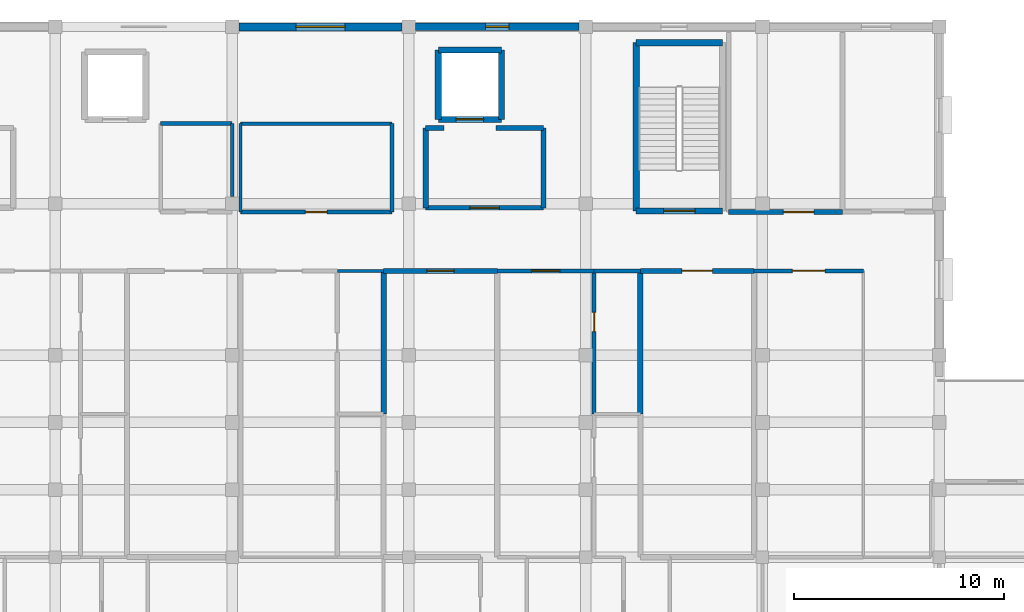
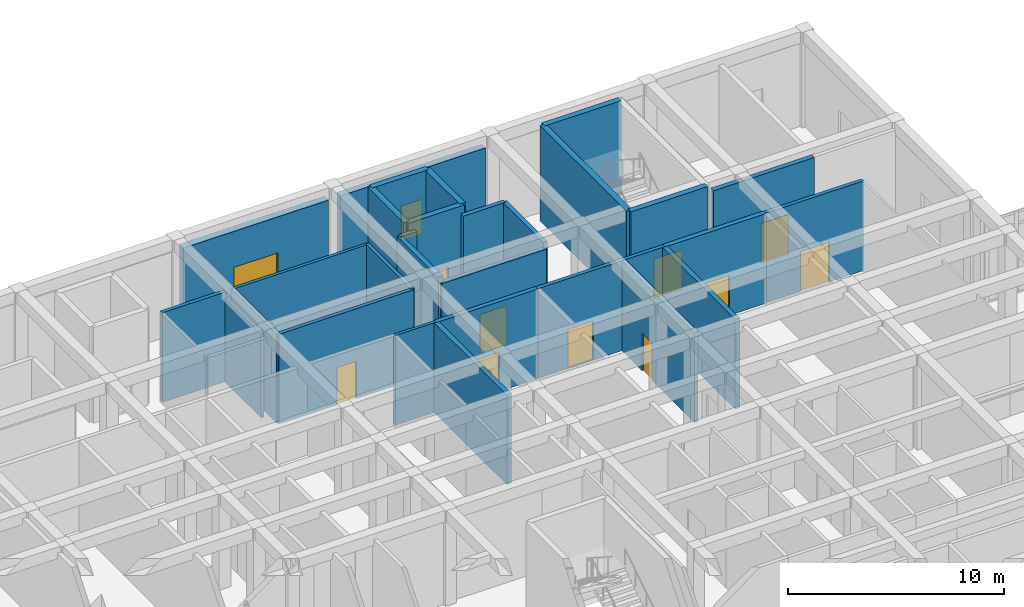
# One storey, part 59 of 89: 30 walls, 10 doors, 2 windows, 12 openings.
"""IFC4 building model written with IfcOpenShell, lengths in metres."""

from ifc_helpers import new_model, si_unit, direction, frame, frame_2d, origin, place, context, subcontext, project, spatial, rectangle, extrude, material, layer, layer_set, type_object, element, fill, save


model = new_model("IFC4")

# Units and contexts
model_context = context("Model", 3, precision=1e-05, world=origin(), true_north=direction((0.0, 1.0)))
body_context = subcontext(model_context, "Body", "Model", "MODEL_VIEW")
ifc_project = project(units=[si_unit("LENGTHUNIT", "METRE"), si_unit("AREAUNIT", "SQUARE_METRE"), si_unit("VOLUMEUNIT", "CUBIC_METRE"), si_unit("PLANEANGLEUNIT", "RADIAN"), si_unit("MASSUNIT", "GRAM", prefix="KILO")], contexts=[model_context])

# Site, building, storey
site_placement = place(None, origin())
site = spatial("IfcSite", under=ifc_project, at=site_placement, CompositionType="ELEMENT")
building_placement = place(site_placement, origin())
building = spatial("IfcBuilding", under=site, at=building_placement, Name="Varncliffe General Hospital", CompositionType="ELEMENT")
storey_placement = place(building_placement, frame((0.0, 0.0, 10.800048828125)))
storey = spatial("IfcBuildingStorey", under=building, at=storey_placement, Name="L02", CompositionType="ELEMENT", Elevation=10.800048828125)

# Wall, opening, window
ifc_material_1 = material(Name="Precast concrete C40/50 with insulated cream lime-cement stucco", Category="concrete")
ifc_layer_1 = layer(ifc_material_1, 0.3798828125)
ifc_layer_set_1 = layer_set([ifc_layer_1], Name="Precast concrete C40/50 with insulated cream lime-cement stucco")
wall_type_1 = type_object("IfcWallType", Name="Exterior Insulated Stucco Wall EW26 (380mm)", PredefinedType="SOLIDWALL", material=ifc_layer_set_1)
wall_1_placement = place(storey_placement, frame((33.923095703125, 124.800048828125, 0.0), z_axis=(0.0, 0.0, 1.0), x_axis=(1.0, 0.0, 0.0)))
wall_1 = element("IfcWall", 1, at=wall_1_placement, inside=storey, type_object=wall_type_1, Name="L02 Exterior Stucco Wall EW26-176", PredefinedType="SOLIDWALL", context=body_context, shape_type="SweptSolid", body=[
    extrude(rectangle(XDim=7.75390625, YDim=0.3798828125, at=frame_2d((3.876953125, 0.0))), origin(), (0.0, 0.0, 1.0), 4.679931640625),
])
opening_1_placement = place(wall_1_placement, frame((2.701904296875, 0.0, 0.89990234375)))
opening_1 = element("IfcOpeningElement", 2, at=opening_1_placement, cuts=wall_1, Name="Opening WN31", PredefinedType="OPENING", context=body_context, shape_type="SweptSolid", body=[
    extrude(rectangle(XDim=2.35009765625, YDim=1.75, at=frame_2d((1.175048828125, 0.875))), frame((0.0, 0.199951171875, 0.0), z_axis=(0.0, -1.0, 0.0), x_axis=(1.0, 0.0, 0.0)), (0.0, 0.0, 1.0), 0.39990234375),
])
ifc_material_2 = material(Name="Triple low-E argon insulated vision glazing", Category="glass")
window_type_1 = type_object("IfcWindowType", Name="Triple-Glazed Hospital Window WN31 (2350x1750)", PartitioningType="DOUBLE_PANEL_VERTICAL", PredefinedType="WINDOW", material=ifc_material_2)
window_1_placement = place(opening_1_placement, origin())
window_1 = element("IfcWindow", 3, at=window_1_placement, inside=storey, type_object=window_type_1, Name="L02 Hospital Window WN31-111", OverallHeight=1.75, OverallWidth=2.35009765625, PartitioningType="DOUBLE_PANEL_VERTICAL", PredefinedType="WINDOW", context=body_context, shape_type="SweptSolid", body=[
    extrude(rectangle(XDim=2.35009765625, YDim=1.75, at=frame_2d((1.175048828125, 0.875))), frame((0.0, 0.030029296875, 0.0), z_axis=(0.0, -1.0, 0.0), x_axis=(1.0, 0.0, 0.0)), (0.0, 0.0, 1.0), 0.06005859375),
])
fill(opening_1, window_1)

ifc_layer_2 = layer(ifc_material_1, 0.35009765625)
ifc_layer_set_2 = layer_set([ifc_layer_2], Name="Precast concrete C40/50 with insulated cream lime-cement stucco")
wall_type_2 = type_object("IfcWallType", Name="Exterior Insulated Stucco Wall EW37 (350mm)", PredefinedType="SOLIDWALL", material=ifc_layer_set_2)
wall_2_placement = place(storey_placement, frame((42.322998046875, 124.800048828125, 0.0), z_axis=(0.0, 0.0, 1.0), x_axis=(1.0, 0.0, 0.0)))
wall_2 = element("IfcWall", 4, at=wall_2_placement, inside=storey, type_object=wall_type_2, Name="L02 Exterior Stucco Wall EW37-177", PredefinedType="SOLIDWALL", context=body_context, shape_type="SweptSolid", body=[
    extrude(rectangle(XDim=7.75390625, YDim=0.35009765625, at=frame_2d((3.876953125, 0.0))), origin(), (0.0, 0.0, 1.0), 4.679931640625),
])
opening_2_placement = place(wall_2_placement, frame((3.326904296875, 0.0, 0.89990234375)))
opening_2 = element("IfcOpeningElement", 5, at=opening_2_placement, cuts=wall_2, Name="Opening WN41", PredefinedType="OPENING", context=body_context, shape_type="SweptSolid", body=[
    extrude(rectangle(XDim=1.10009765625, YDim=1.949951171875, at=frame_2d((0.550048828125, 0.97509765625))), frame((0.0, 0.18505859375, 0.0), z_axis=(0.0, -1.0, 0.0), x_axis=(1.0, 0.0, 0.0)), (0.0, 0.0, 1.0), 0.3701171875),
])
window_type_2 = type_object("IfcWindowType", Name="Triple-Glazed Hospital Window WN41 (1100x1950)", PartitioningType="SINGLE_PANEL", PredefinedType="WINDOW", material=ifc_material_2)
window_2_placement = place(opening_2_placement, origin())
window_2 = element("IfcWindow", 6, at=window_2_placement, inside=storey, type_object=window_type_2, Name="L02 Hospital Window WN41-112", OverallHeight=1.949951171875, OverallWidth=1.10009765625, PartitioningType="SINGLE_PANEL", PredefinedType="WINDOW", context=body_context, shape_type="SweptSolid", body=[
    extrude(rectangle(XDim=1.10009765625, YDim=1.949951171875, at=frame_2d((0.550048828125, 0.97509765625))), frame((0.0, 0.030029296875, 0.0), z_axis=(0.0, -1.0, 0.0), x_axis=(1.0, 0.0, 0.0)), (0.0, 0.0, 1.0), 0.06005859375),
])
fill(opening_2, window_2)

# Wall, opening, door
ifc_material_3 = material(Name="Fire-rated gypsum and mineral-wool partition assembly", Category="gypsum")
ifc_layer_3 = layer(ifc_material_3, 0.25)
ifc_layer_set_3 = layer_set([ifc_layer_3], Name="Fire-rated gypsum and mineral-wool partition assembly")
wall_type_3 = type_object("IfcWallType", Name="Interior Partitioning PW38 (250mm)", PredefinedType="PARTITIONING", material=ifc_layer_set_3)
wall_3_placement = place(storey_placement, frame((53.0, 113.199951171875, 0.0), z_axis=(0.0, 0.0, 1.0), x_axis=(1.0, 0.0, 0.0)))
wall_3 = element("IfcWall", 7, at=wall_3_placement, inside=storey, type_object=wall_type_3, Name="L02 Interior Partition Wall PW38-1075", PredefinedType="PARTITIONING", context=body_context, shape_type="SweptSolid", body=[
    extrude(rectangle(XDim=5.39990234375, YDim=0.25, at=frame_2d((2.699951171875, 0.0))), origin(), (0.0, 0.0, 1.0), 5.070068359375),
])
opening_3_placement = place(wall_3_placement, frame((1.97509765625, 0.0, 0.0)))
opening_3 = element("IfcOpeningElement", 8, at=opening_3_placement, cuts=wall_3, Name="Opening DC66", PredefinedType="OPENING", context=body_context, shape_type="SweptSolid", body=[
    extrude(rectangle(XDim=1.449951171875, YDim=2.25, at=frame_2d((0.72509765625, 1.125))), frame((0.0, 0.135009765625, 0.0), z_axis=(0.0, -1.0, 0.0), x_axis=(1.0, 0.0, 0.0)), (0.0, 0.0, 1.0), 0.27001953125),
])
ifc_material_4 = material(Name="Fire-rated hospital steel-frame vision-panel door", Category="steel")
door_type_1 = type_object("IfcDoorType", Name="Interior Hospital Door DC66 (1450x2250)", OperationType="NOTDEFINED", PredefinedType="DOOR", material=ifc_material_4)
door_1_placement = place(opening_3_placement, frame((1.449951171875, 0.0, 0.0), z_axis=(0.0, 0.0, 1.0), x_axis=(-1.0, 0.0, 0.0)))
door_1 = element("IfcDoor", 9, at=door_1_placement, inside=storey, type_object=door_type_1, Name="L02 Surgical Sub-Sterile Utility Store 125 Door", OperationType="SINGLE_SWING_RIGHT", OverallHeight=2.25, OverallWidth=1.449951171875, PredefinedType="DOOR", context=body_context, shape_type="SweptSolid", body=[
    extrude(rectangle(XDim=1.449951171875, YDim=2.25, at=frame_2d((0.72509765625, 1.125))), frame((0.0, 0.02490234375, 0.0), z_axis=(0.0, -1.0, 0.0), x_axis=(1.0, 0.0, 0.0)), (0.0, 0.0, 1.0), 0.050048828125),
])
fill(opening_3, door_1)

wall_4_placement = place(storey_placement, frame((57.199951171875, 116.0, 0.0), z_axis=(0.0, 0.0, 1.0), x_axis=(1.0, 0.0, 0.0)))
wall_4 = element("IfcWall", 10, at=wall_4_placement, inside=storey, type_object=wall_type_3, Name="L02 Interior Partition Wall PW38-1095", PredefinedType="PARTITIONING", context=body_context, shape_type="SweptSolid", body=[
    extrude(rectangle(XDim=5.400146484375, YDim=0.25, at=frame_2d((2.7001953125, 0.0))), origin(), (0.0, 0.0, 1.0), 5.070068359375),
])
opening_4_placement = place(wall_4_placement, frame((2.599609375, 0.0, 0.0)))
opening_4 = element("IfcOpeningElement", 11, at=opening_4_placement, cuts=wall_4, Name="Opening DC66", PredefinedType="OPENING", context=body_context, shape_type="SweptSolid", body=[
    extrude(rectangle(XDim=1.449951171875, YDim=2.25, at=frame_2d((0.72509765625, 1.125))), frame((0.0, 0.135009765625, 0.0), z_axis=(0.0, -1.0, 0.0), x_axis=(1.0, 0.0, 0.0)), (0.0, 0.0, 1.0), 0.27001953125),
])
door_2_placement = place(opening_4_placement, origin())
door_2 = element("IfcDoor", 12, at=door_2_placement, inside=storey, type_object=door_type_1, Name="L02 Surgical Sub-Sterile Utility Store 149 Door", OperationType="SINGLE_SWING_RIGHT", OverallHeight=2.25, OverallWidth=1.449951171875, PredefinedType="DOOR", context=body_context, shape_type="SweptSolid", body=[
    extrude(rectangle(XDim=1.449951171875, YDim=2.25, at=frame_2d((0.72509765625, 1.125))), frame((0.0, 0.02490234375, 0.0), z_axis=(0.0, -1.0, 0.0), x_axis=(1.0, 0.0, 0.0)), (0.0, 0.0, 1.0), 0.050048828125),
])
fill(opening_4, door_2)

# Walls
wall_5_placement = place(storey_placement, frame((40.800048828125, 106.39990234375, 0.0), z_axis=(0.0, 0.0, 1.0), x_axis=(0.0, 1.0, 0.0)))
element("IfcWall", 13, at=wall_5_placement, inside=storey, type_object=wall_type_3, Name="L02 Interior Partition Wall PW38-1171", PredefinedType="PARTITIONING", context=body_context, shape_type="SweptSolid", body=[
    extrude(rectangle(XDim=6.800048828125, YDim=0.25, at=frame_2d((3.39990234375, 0.0))), origin(), (0.0, 0.0, 1.0), 5.070068359375),
])
wall_6_placement = place(storey_placement, frame((42.800048828125, 116.199951171875, 0.0), z_axis=(0.0, 0.0, 1.0), x_axis=(0.0, 1.0, 0.0)))
element("IfcWall", 14, at=wall_6_placement, inside=storey, type_object=wall_type_3, Name="L02 Interior Partition Wall PW38-1173", PredefinedType="PARTITIONING", context=body_context, shape_type="SweptSolid", body=[
    extrude(rectangle(XDim=3.800048828125, YDim=0.25, at=frame_2d((1.89990234375, 0.0))), origin(), (0.0, 0.0, 1.0), 5.070068359375),
])
wall_7_placement = place(storey_placement, frame((53.0, 106.39990234375, 0.0), z_axis=(0.0, 0.0, 1.0), x_axis=(0.0, 1.0, 0.0)))
element("IfcWall", 15, at=wall_7_placement, inside=storey, type_object=wall_type_3, Name="L02 Interior Partition Wall PW38-1187", PredefinedType="PARTITIONING", context=body_context, shape_type="SweptSolid", body=[
    extrude(rectangle(XDim=6.800048828125, YDim=0.25, at=frame_2d((3.39990234375, 0.0))), origin(), (0.0, 0.0, 1.0), 5.070068359375),
])

# Wall, opening, door
ifc_layer_4 = layer(ifc_material_3, 0.22998046875)
ifc_layer_set_4 = layer_set([ifc_layer_4], Name="Fire-rated gypsum and mineral-wool partition assembly")
wall_type_4 = type_object("IfcWallType", Name="Interior Partitioning PW48 (230mm)", PredefinedType="PARTITIONING", material=ifc_layer_set_4)
wall_8_placement = place(storey_placement, frame((40.800048828125, 113.199951171875, 0.0), z_axis=(0.0, 0.0, 1.0), x_axis=(1.0, 0.0, 0.0)))
wall_8 = element("IfcWall", 16, at=wall_8_placement, inside=storey, type_object=wall_type_4, Name="L02 Interior Partition Wall PW48-1072", PredefinedType="PARTITIONING", context=body_context, shape_type="SweptSolid", body=[
    extrude(rectangle(XDim=5.39990234375, YDim=0.22998046875, at=frame_2d((2.699951171875, 0.0))), origin(), (0.0, 0.0, 1.0), 5.070068359375),
])
opening_5_placement = place(wall_8_placement, frame((2.050048828125, 0.0, 0.0)))
opening_5 = element("IfcOpeningElement", 17, at=opening_5_placement, cuts=wall_8, Name="Opening DC88", PredefinedType="OPENING", context=body_context, shape_type="SweptSolid", body=[
    extrude(rectangle(XDim=1.300048828125, YDim=2.199951171875, at=frame_2d((0.64990234375, 1.10009765625))), frame((0.0, 0.125, 0.0), z_axis=(0.0, -1.0, 0.0), x_axis=(1.0, 0.0, 0.0)), (0.0, 0.0, 1.0), 0.25),
])
door_type_2 = type_object("IfcDoorType", Name="Interior Hospital Door DC88 (1300x2200)", OperationType="NOTDEFINED", PredefinedType="DOOR", material=ifc_material_4)
door_3_placement = place(opening_5_placement, frame((1.300048828125, 0.0, 0.0), z_axis=(0.0, 0.0, 1.0), x_axis=(-1.0, 0.0, 0.0)))
door_3 = element("IfcDoor", 18, at=door_3_placement, inside=storey, type_object=door_type_2, Name="L02 Surgical Sub-Sterile Utility Store 121 Door", OperationType="SINGLE_SWING_RIGHT", OverallHeight=2.199951171875, OverallWidth=1.300048828125, PredefinedType="DOOR", context=body_context, shape_type="SweptSolid", body=[
    extrude(rectangle(XDim=1.300048828125, YDim=2.199951171875, at=frame_2d((0.64990234375, 1.10009765625))), frame((0.0, 0.02490234375, 0.0), z_axis=(0.0, -1.0, 0.0), x_axis=(1.0, 0.0, 0.0)), (0.0, 0.0, 1.0), 0.050048828125),
])
fill(opening_5, door_3)

wall_9_placement = place(storey_placement, frame((42.800048828125, 116.199951171875, 0.0), z_axis=(0.0, 0.0, 1.0), x_axis=(1.0, 0.0, 0.0)))
wall_9 = element("IfcWall", 19, at=wall_9_placement, inside=storey, type_object=wall_type_4, Name="L02 Interior Partition Wall PW48-1106", PredefinedType="PARTITIONING", context=body_context, shape_type="SweptSolid", body=[
    extrude(rectangle(XDim=5.599853515625, YDim=0.22998046875, at=frame_2d((2.7998046875, 0.0))), origin(), (0.0, 0.0, 1.0), 4.73486328125),
])
opening_6_placement = place(wall_9_placement, frame((2.10009765625, 0.0, 0.0)))
opening_6 = element("IfcOpeningElement", 20, at=opening_6_placement, cuts=wall_9, Name="Opening DF81", PredefinedType="OPENING", context=body_context, shape_type="SweptSolid", body=[
    extrude(rectangle(XDim=1.39990234375, YDim=2.199951171875, at=frame_2d((0.699951171875, 1.10009765625))), frame((0.0, 0.125, 0.0), z_axis=(0.0, -1.0, 0.0), x_axis=(1.0, 0.0, 0.0)), (0.0, 0.0, 1.0), 0.25),
])
door_type_3 = type_object("IfcDoorType", Name="Interior Hospital Door DF81 (1400x2200)", OperationType="NOTDEFINED", PredefinedType="DOOR", material=ifc_material_4)
door_4_placement = place(opening_6_placement, origin())
door_4 = element("IfcDoor", 21, at=door_4_placement, inside=storey, type_object=door_type_3, Name="L02 Firefighting Lift Lobby LF02 Door", OperationType="SINGLE_SWING_LEFT", OverallHeight=2.199951171875, OverallWidth=1.39990234375, PredefinedType="DOOR", context=body_context, shape_type="SweptSolid", body=[
    extrude(rectangle(XDim=1.39990234375, YDim=2.199951171875, at=frame_2d((0.699951171875, 1.10009765625))), frame((0.0, 0.02490234375, 0.0), z_axis=(0.0, -1.0, 0.0), x_axis=(1.0, 0.0, 0.0)), (0.0, 0.0, 1.0), 0.050048828125),
])
fill(opening_6, door_4)

# Walls
wall_10_placement = place(storey_placement, frame((46.135986328125, 120.0, 0.0), z_axis=(0.0, 0.0, 1.0), x_axis=(1.0, 0.0, 0.0)))
element("IfcWall", 22, at=wall_10_placement, inside=storey, type_object=wall_type_4, Name="L02 Interior Partition Wall PW48-1110", PredefinedType="PARTITIONING", context=body_context, shape_type="SweptSolid", body=[
    extrude(rectangle(XDim=2.263916015625, YDim=0.22998046875, at=frame_2d((1.1318359375, 0.0))), origin(), (0.0, 0.0, 1.0), 5.070068359375),
])
wall_11_placement = place(storey_placement, frame((42.800048828125, 120.0, 0.0), z_axis=(0.0, 0.0, 1.0), x_axis=(1.0, 0.0, 0.0)))
element("IfcWall", 23, at=wall_11_placement, inside=storey, type_object=wall_type_4, Name="L02 Interior Partition Wall PW48-1111", PredefinedType="PARTITIONING", context=body_context, shape_type="SweptSolid", body=[
    extrude(rectangle(XDim=0.864013671875, YDim=0.22998046875, at=frame_2d((0.43212890625, 0.0))), origin(), (0.0, 0.0, 1.0), 5.070068359375),
])
wall_12_placement = place(storey_placement, frame((48.39990234375, 116.199951171875, 0.0), z_axis=(0.0, 0.0, 1.0), x_axis=(0.0, 1.0, 0.0)))
element("IfcWall", 24, at=wall_12_placement, inside=storey, type_object=wall_type_4, Name="L02 Interior Partition Wall PW48-1180", PredefinedType="PARTITIONING", context=body_context, shape_type="SweptSolid", body=[
    extrude(rectangle(XDim=3.800048828125, YDim=0.22998046875, at=frame_2d((1.89990234375, 0.0))), origin(), (0.0, 0.0, 1.0), 5.070068359375),
])

# Wall, opening, door
ifc_layer_5 = layer(ifc_material_3, 0.199951171875)
ifc_layer_set_5 = layer_set([ifc_layer_5], Name="Fire-rated gypsum and mineral-wool partition assembly")
wall_type_5 = type_object("IfcWallType", Name="Interior Partitioning PW63 (200mm)", PredefinedType="PARTITIONING", material=ifc_layer_set_5)
wall_13_placement = place(storey_placement, frame((46.199951171875, 113.199951171875, 0.0), z_axis=(0.0, 0.0, 1.0), x_axis=(1.0, 0.0, 0.0)))
wall_13 = element("IfcWall", 25, at=wall_13_placement, inside=storey, type_object=wall_type_5, Name="L02 Interior Partition Wall PW63-1073", PredefinedType="PARTITIONING", context=body_context, shape_type="SweptSolid", body=[
    extrude(rectangle(XDim=4.60009765625, YDim=0.199951171875, at=frame_2d((2.300048828125, 0.0))), origin(), (0.0, 0.0, 1.0), 5.070068359375),
])
opening_7_placement = place(wall_13_placement, frame((1.625, 0.0, 0.0)))
opening_7 = element("IfcOpeningElement", 26, at=opening_7_placement, cuts=wall_13, Name="Opening DC85", PredefinedType="OPENING", context=body_context, shape_type="SweptSolid", body=[
    extrude(rectangle(XDim=1.35009765625, YDim=2.199951171875, at=frame_2d((0.675048828125, 1.10009765625))), frame((0.0, 0.10986328125, 0.0), z_axis=(0.0, -1.0, 0.0), x_axis=(1.0, 0.0, 0.0)), (0.0, 0.0, 1.0), 0.219970703125),
])
door_type_4 = type_object("IfcDoorType", Name="Interior Hospital Door DC85 (1350x2200)", OperationType="NOTDEFINED", PredefinedType="DOOR", material=ifc_material_4)
door_5_placement = place(opening_7_placement, frame((1.35009765625, 0.0, 0.0), z_axis=(0.0, 0.0, 1.0), x_axis=(-1.0, 0.0, 0.0)))
door_5 = element("IfcDoor", 27, at=door_5_placement, inside=storey, type_object=door_type_4, Name="L02 Surgical Inpatient Ward Room 122 Door", OperationType="SINGLE_SWING_LEFT", OverallHeight=2.199951171875, OverallWidth=1.35009765625, PredefinedType="DOOR", context=body_context, shape_type="SweptSolid", body=[
    extrude(rectangle(XDim=1.35009765625, YDim=2.199951171875, at=frame_2d((0.675048828125, 1.10009765625))), frame((0.0, 0.02490234375, 0.0), z_axis=(0.0, -1.0, 0.0), x_axis=(1.0, 0.0, 0.0)), (0.0, 0.0, 1.0), 0.050048828125),
])
fill(opening_7, door_5)

wall_14_placement = place(storey_placement, frame((58.39990234375, 113.199951171875, 0.0), z_axis=(0.0, 0.0, 1.0), x_axis=(1.0, 0.0, 0.0)))
wall_14 = element("IfcWall", 28, at=wall_14_placement, inside=storey, type_object=wall_type_5, Name="L02 Interior Partition Wall PW63-1076", PredefinedType="PARTITIONING", context=body_context, shape_type="SweptSolid", body=[
    extrude(rectangle(XDim=5.2001953125, YDim=0.199951171875, at=frame_2d((2.60009765625, 0.0))), origin(), (0.0, 0.0, 1.0), 5.070068359375),
])
opening_8_placement = place(wall_14_placement, frame((1.824951171875, 0.0, 0.0)))
opening_8 = element("IfcOpeningElement", 29, at=opening_8_placement, cuts=wall_14, Name="Opening DC67", PredefinedType="OPENING", context=body_context, shape_type="SweptSolid", body=[
    extrude(rectangle(XDim=1.550048828125, YDim=2.25, at=frame_2d((0.77490234375, 1.125))), frame((0.0, 0.10986328125, 0.0), z_axis=(0.0, -1.0, 0.0), x_axis=(1.0, 0.0, 0.0)), (0.0, 0.0, 1.0), 0.219970703125),
])
door_type_5 = type_object("IfcDoorType", Name="Interior Hospital Door DC67 (1550x2250)", OperationType="NOTDEFINED", PredefinedType="DOOR", material=ifc_material_4)
door_6_placement = place(opening_8_placement, frame((1.550048828125, 0.0, 0.0), z_axis=(0.0, 0.0, 1.0), x_axis=(-1.0, 0.0, 0.0)))
door_6 = element("IfcDoor", 30, at=door_6_placement, inside=storey, type_object=door_type_5, Name="L02 Surgical Inpatient Ward Room 126 Door", OperationType="SINGLE_SWING_LEFT", OverallHeight=2.25, OverallWidth=1.550048828125, PredefinedType="DOOR", context=body_context, shape_type="SweptSolid", body=[
    extrude(rectangle(XDim=1.550048828125, YDim=2.25, at=frame_2d((0.77490234375, 1.125))), frame((0.0, 0.02490234375, 0.0), z_axis=(0.0, -1.0, 0.0), x_axis=(1.0, 0.0, 0.0)), (0.0, 0.0, 1.0), 0.050048828125),
])
fill(opening_8, door_6)

wall_15_placement = place(storey_placement, frame((34.0, 116.0, 0.0), z_axis=(0.0, 0.0, 1.0), x_axis=(1.0, 0.0, 0.0)))
wall_15 = element("IfcWall", 31, at=wall_15_placement, inside=storey, type_object=wall_type_5, Name="L02 Interior Partition Wall PW63-1094", PredefinedType="PARTITIONING", context=body_context, shape_type="SweptSolid", body=[
    extrude(rectangle(XDim=7.199951171875, YDim=0.199951171875, at=frame_2d((3.60009765625, 0.0))), origin(), (0.0, 0.0, 1.0), 5.070068359375),
])
opening_9_placement = place(wall_15_placement, frame((3.080078125, 0.0, 0.0)))
opening_9 = element("IfcOpeningElement", 32, at=opening_9_placement, cuts=wall_15, Name="Opening DI77", PredefinedType="OPENING", context=body_context, shape_type="SweptSolid", body=[
    extrude(rectangle(XDim=1.0400390625, YDim=2.10009765625, at=frame_2d((0.52001953125, 1.050048828125))), frame((0.0, 0.10986328125, 0.0), z_axis=(0.0, -1.0, 0.0), x_axis=(1.0, 0.0, 0.0)), (0.0, 0.0, 1.0), 0.219970703125),
])
ifc_material_5 = material(Name="Solid-core antimicrobial hospital oak veneer door", Category="wood")
door_type_6 = type_object("IfcDoorType", Name="Interior Hospital Door DI77 (1040x2100)", OperationType="NOTDEFINED", PredefinedType="DOOR", material=ifc_material_5)
door_7_placement = place(opening_9_placement, origin())
door_7 = element("IfcDoor", 33, at=door_7_placement, inside=storey, type_object=door_type_6, Name="L02 Staff and Visitor WC L02-NW Door", OperationType="SINGLE_SWING_LEFT", OverallHeight=2.10009765625, OverallWidth=1.0400390625, PredefinedType="DOOR", context=body_context, shape_type="SweptSolid", body=[
    extrude(rectangle(XDim=1.0400390625, YDim=2.10009765625, at=frame_2d((0.52001953125, 1.050048828125))), frame((0.0, 0.02490234375, 0.0), z_axis=(0.0, -1.0, 0.0), x_axis=(1.0, 0.0, 0.0)), (0.0, 0.0, 1.0), 0.050048828125),
])
fill(opening_9, door_7)

wall_16_placement = place(storey_placement, frame((50.800048828125, 106.39990234375, 0.0), z_axis=(0.0, 0.0, 1.0), x_axis=(0.0, 1.0, 0.0)))
wall_16 = element("IfcWall", 34, at=wall_16_placement, inside=storey, type_object=wall_type_5, Name="L02 Interior Partition Wall PW63-1182", PredefinedType="PARTITIONING", context=body_context, shape_type="SweptSolid", body=[
    extrude(rectangle(XDim=6.800048828125, YDim=0.199951171875, at=frame_2d((3.39990234375, 0.0))), origin(), (0.0, 0.0, 1.0), 5.070068359375),
])
opening_10_placement = place(wall_16_placement, frame((3.912109375, 0.0, 0.0)))
opening_10 = element("IfcOpeningElement", 35, at=opening_10_placement, cuts=wall_16, Name="Opening DI70", PredefinedType="OPENING", context=body_context, shape_type="SweptSolid", body=[
    extrude(rectangle(XDim=0.919921875, YDim=2.10009765625, at=frame_2d((0.4599609375, 1.050048828125))), frame((0.0, 0.10986328125, 0.0), z_axis=(0.0, -1.0, 0.0), x_axis=(1.0, 0.0, 0.0)), (0.0, 0.0, 1.0), 0.219970703125),
])
door_type_7 = type_object("IfcDoorType", Name="Interior Hospital Door DI70 (920x2100)", OperationType="NOTDEFINED", PredefinedType="DOOR", material=ifc_material_5)
door_8_placement = place(opening_10_placement, frame((0.919921875, 0.0, 0.0), z_axis=(0.0, 0.0, 1.0), x_axis=(-1.0, 0.0, 0.0)))
door_8 = element("IfcDoor", 36, at=door_8_placement, inside=storey, type_object=door_type_7, Name="L02 En-Suite Bathroom 123 Door", OperationType="SINGLE_SWING_LEFT", OverallHeight=2.10009765625, OverallWidth=0.919921875, PredefinedType="DOOR", context=body_context, shape_type="SweptSolid", body=[
    extrude(rectangle(XDim=0.919921875, YDim=2.10009765625, at=frame_2d((0.4599609375, 1.050048828125))), frame((0.0, 0.02490234375, 0.0), z_axis=(0.0, -1.0, 0.0), x_axis=(1.0, 0.0, 0.0)), (0.0, 0.0, 1.0), 0.050048828125),
])
fill(opening_10, door_8)

# Walls
ifc_material_6 = material(Name="Moisture-resistant plumbing chase wall assembly", Category="gypsum")
ifc_layer_6 = layer(ifc_material_6, 0.18994140625)
ifc_layer_set_6 = layer_set([ifc_layer_6], Name="Moisture-resistant plumbing chase wall assembly")
wall_type_6 = type_object("IfcWallType", Name="Interior Plumbingwall MW17 (190mm)", PredefinedType="PLUMBINGWALL", material=ifc_layer_set_6)
wall_17_placement = place(storey_placement, frame((50.800048828125, 113.199951171875, 0.0), z_axis=(0.0, 0.0, 1.0), x_axis=(1.0, 0.0, 0.0)))
element("IfcWall", 37, at=wall_17_placement, inside=storey, type_object=wall_type_6, Name="L02 Interior Plumbing Wall MW17-1074", PredefinedType="PLUMBINGWALL", context=body_context, shape_type="SweptSolid", body=[
    extrude(rectangle(XDim=2.199951171875, YDim=0.18994140625, at=frame_2d((1.10009765625, 0.0))), origin(), (0.0, 0.0, 1.0), 5.070068359375),
])
wall_18_placement = place(storey_placement, frame((30.199951171875, 120.199951171875, 0.0), z_axis=(0.0, 0.0, 1.0), x_axis=(1.0, 0.0, 0.0)))
element("IfcWall", 38, at=wall_18_placement, inside=storey, type_object=wall_type_6, Name="L02 Interior Plumbing Wall MW17-1114", PredefinedType="PLUMBINGWALL", context=body_context, shape_type="SweptSolid", body=[
    extrude(rectangle(XDim=3.400146484375, YDim=0.18994140625, at=frame_2d((1.7001953125, 0.0))), origin(), (0.0, 0.0, 1.0), 5.070068359375),
])
wall_19_placement = place(storey_placement, frame((41.199951171875, 116.0, 0.0), z_axis=(0.0, 0.0, 1.0), x_axis=(0.0, 1.0, 0.0)))
element("IfcWall", 39, at=wall_19_placement, inside=storey, type_object=wall_type_6, Name="L02 Interior Plumbing Wall MW17-1172", PredefinedType="PLUMBINGWALL", context=body_context, shape_type="SweptSolid", body=[
    extrude(rectangle(XDim=4.199951171875, YDim=0.18994140625, at=frame_2d((2.10009765625, 0.0))), origin(), (0.0, 0.0, 1.0), 5.070068359375),
])
ifc_layer_7 = layer(ifc_material_6, 0.159912109375)
ifc_layer_set_7 = layer_set([ifc_layer_7], Name="Moisture-resistant plumbing chase wall assembly")
wall_type_7 = type_object("IfcWallType", Name="Interior Plumbingwall MW31 (160mm)", PredefinedType="PLUMBINGWALL", material=ifc_layer_set_7)
wall_20_placement = place(storey_placement, frame((38.60009765625, 113.199951171875, 0.0), z_axis=(0.0, 0.0, 1.0), x_axis=(1.0, 0.0, 0.0)))
element("IfcWall", 40, at=wall_20_placement, inside=storey, type_object=wall_type_7, Name="L02 Interior Plumbing Wall MW31-1071", PredefinedType="PLUMBINGWALL", context=body_context, shape_type="SweptSolid", body=[
    extrude(rectangle(XDim=2.199951171875, YDim=0.159912109375, at=frame_2d((1.10009765625, 0.0))), origin(), (0.0, 0.0, 1.0), 5.070068359375),
])
wall_21_placement = place(storey_placement, frame((34.0, 120.199951171875, 0.0), z_axis=(0.0, 0.0, 1.0), x_axis=(1.0, 0.0, 0.0)))
element("IfcWall", 41, at=wall_21_placement, inside=storey, type_object=wall_type_7, Name="L02 Interior Plumbing Wall MW31-1115", PredefinedType="PLUMBINGWALL", context=body_context, shape_type="SweptSolid", body=[
    extrude(rectangle(XDim=7.199951171875, YDim=0.159912109375, at=frame_2d((3.60009765625, 0.0))), origin(), (0.0, 0.0, 1.0), 5.070068359375),
])
wall_22_placement = place(storey_placement, frame((33.60009765625, 116.739990234375, 0.0), z_axis=(0.0, 0.0, 1.0), x_axis=(0.0, 1.0, 0.0)))
element("IfcWall", 42, at=wall_22_placement, inside=storey, type_object=wall_type_7, Name="L02 Interior Plumbing Wall MW31-1163", PredefinedType="PLUMBINGWALL", context=body_context, shape_type="SweptSolid", body=[
    extrude(rectangle(XDim=3.4599609375, YDim=0.159912109375, at=frame_2d((1.72998046875, 0.0))), origin(), (0.0, 0.0, 1.0), 4.73486328125),
])
wall_23_placement = place(storey_placement, frame((34.0, 116.0, 0.0), z_axis=(0.0, 0.0, 1.0), x_axis=(0.0, 1.0, 0.0)))
element("IfcWall", 43, at=wall_23_placement, inside=storey, type_object=wall_type_7, Name="L02 Interior Plumbing Wall MW31-1165", PredefinedType="PLUMBINGWALL", context=body_context, shape_type="SweptSolid", body=[
    extrude(rectangle(XDim=4.199951171875, YDim=0.159912109375, at=frame_2d((2.10009765625, 0.0))), origin(), (0.0, 0.0, 1.0), 5.070068359375),
])
ifc_material_7 = material(Name="Concrete C40/50 (CSA A23.1 40 MPa)", Category="concrete")
ifc_layer_8 = layer(ifc_material_7, 0.300048828125)
ifc_layer_set_8 = layer_set([ifc_layer_8], Name="Concrete C40/50 (CSA A23.1 40 MPa)")
wall_type_8 = type_object("IfcWallType", Name="Reinforced Concrete Core Shear Wall CW12 (300mm)", PredefinedType="SHEAR", material=ifc_layer_set_8)
wall_24_placement = place(storey_placement, frame((56.89990234375, 124.050048828125, 0.0), z_axis=(0.0, 0.0, 1.0), x_axis=(-1.0, 0.0, 0.0)))
element("IfcWall", 44, at=wall_24_placement, inside=storey, type_object=wall_type_8, Name="L02 ST02 Core Shear Wall F", PredefinedType="SHEAR", context=body_context, shape_type="SweptSolid", body=[
    extrude(rectangle(XDim=4.099853515625, YDim=0.300048828125, at=frame_2d((2.0498046875, 0.0))), origin(), (0.0, 0.0, 1.0), 5.39990234375),
])
wall_25_placement = place(storey_placement, frame((52.800048828125, 124.050048828125, 0.0), z_axis=(0.0, 0.0, 1.0), x_axis=(0.0, -1.0, 0.0)))
element("IfcWall", 45, at=wall_25_placement, inside=storey, type_object=wall_type_8, Name="L02 ST02 Core Shear Wall R", PredefinedType="SHEAR", context=body_context, shape_type="SweptSolid", body=[
    extrude(rectangle(XDim=8.0, YDim=0.300048828125, at=frame_2d((4.0, 0.0))), origin(), (0.0, 0.0, 1.0), 5.39990234375),
])

# Wall, opening, door
wall_26_placement = place(storey_placement, frame((52.800048828125, 116.050048828125, 0.0), z_axis=(0.0, 0.0, 1.0), x_axis=(1.0, 0.0, 0.0)))
wall_26 = element("IfcWall", 46, at=wall_26_placement, inside=storey, type_object=wall_type_8, Name="L02 ST02 Core Shear Wall N", PredefinedType="SHEAR", context=body_context, shape_type="SweptSolid", body=[
    extrude(rectangle(XDim=4.099853515625, YDim=0.300048828125, at=frame_2d((2.0498046875, 0.0))), origin(), (0.0, 0.0, 1.0), 5.39990234375),
])
opening_11_placement = place(wall_26_placement, frame((1.300048828125, 0.0, 0.0)))
opening_11 = element("IfcOpeningElement", 47, at=opening_11_placement, cuts=wall_26, Name="Opening DF28", PredefinedType="OPENING", context=body_context, shape_type="SweptSolid", body=[
    extrude(rectangle(XDim=1.5, YDim=2.199951171875, at=frame_2d((0.75, 1.10009765625))), frame((0.0, 0.16015625, 0.0), z_axis=(0.0, -1.0, 0.0), x_axis=(1.0, 0.0, 0.0)), (0.0, 0.0, 1.0), 0.320068359375),
])
door_type_8 = type_object("IfcDoorType", Name="Interior Hospital Door DF28 (1500x2200)", OperationType="NOTDEFINED", PredefinedType="DOOR", material=ifc_material_4)
door_9_placement = place(opening_11_placement, frame((1.5, 0.0, 0.0), z_axis=(0.0, 0.0, 1.0), x_axis=(-1.0, 0.0, 0.0)))
door_9 = element("IfcDoor", 48, at=door_9_placement, inside=storey, type_object=door_type_8, Name="L02 ST02 Protected Exit Stair Door", OperationType="SINGLE_SWING_LEFT", OverallHeight=2.199951171875, OverallWidth=1.5, PredefinedType="DOOR", context=body_context, shape_type="SweptSolid", body=[
    extrude(rectangle(XDim=1.5, YDim=2.199951171875, at=frame_2d((0.75, 1.10009765625))), frame((0.0, 0.02490234375, 0.0), z_axis=(0.0, -1.0, 0.0), x_axis=(1.0, 0.0, 0.0)), (0.0, 0.0, 1.0), 0.050048828125),
])
fill(opening_11, door_9)

wall_27_placement = place(storey_placement, frame((43.39990234375, 120.39990234375, 0.0), z_axis=(0.0, 0.0, 1.0), x_axis=(1.0, 0.0, 0.0)))
wall_27 = element("IfcWall", 49, at=wall_27_placement, inside=storey, type_object=wall_type_8, Name="L02 LF02 Elevator Shaft Wall South", PredefinedType="SHEAR", context=body_context, shape_type="SweptSolid", body=[
    extrude(rectangle(XDim=3.0, YDim=0.300048828125, at=frame_2d((1.5, 0.0))), origin(), (0.0, 0.0, 1.0), 5.39990234375),
])
opening_12_placement = place(wall_27_placement, frame((0.85009765625, 0.0, 0.0)))
opening_12 = element("IfcOpeningElement", 50, at=opening_12_placement, cuts=wall_27, Name="Opening LD02", PredefinedType="OPENING", context=body_context, shape_type="SweptSolid", body=[
    extrude(rectangle(XDim=1.300048828125, YDim=2.199951171875, at=frame_2d((0.64990234375, 1.10009765625))), frame((0.0, 0.16015625, 0.0), z_axis=(0.0, -1.0, 0.0), x_axis=(1.0, 0.0, 0.0)), (0.0, 0.0, 1.0), 0.320068359375),
])
ifc_material_8 = material(Name="Brushed stainless-steel sliding elevator landing door", Category="steel")
door_type_9 = type_object("IfcDoorType", Name="Lift Landing Door LD02 (1300x2200)", OperationType="DOUBLE_DOOR_SLIDING", PredefinedType="DOOR", material=ifc_material_8)
door_10_placement = place(opening_12_placement, origin())
door_10 = element("IfcDoor", 51, at=door_10_placement, inside=storey, type_object=door_type_9, Name="Lift Landing Door LF02 L02", OperationType="DOUBLE_DOOR_SLIDING", OverallHeight=2.199951171875, OverallWidth=1.300048828125, PredefinedType="DOOR", context=body_context, shape_type="SweptSolid", body=[
    extrude(rectangle(XDim=1.300048828125, YDim=2.199951171875, at=frame_2d((0.64990234375, 1.10009765625))), frame((0.0, 0.02490234375, 0.0), z_axis=(0.0, -1.0, 0.0), x_axis=(1.0, 0.0, 0.0)), (0.0, 0.0, 1.0), 0.050048828125),
])
fill(opening_12, door_10)

# Walls
wall_28_placement = place(storey_placement, frame((46.39990234375, 120.39990234375, 0.0), z_axis=(0.0, 0.0, 1.0), x_axis=(0.0, 1.0, 0.0)))
element("IfcWall", 52, at=wall_28_placement, inside=storey, type_object=wall_type_8, Name="L02 LF02 Elevator Shaft Wall East", PredefinedType="SHEAR", context=body_context, shape_type="SweptSolid", body=[
    extrude(rectangle(XDim=3.300048828125, YDim=0.300048828125, at=frame_2d((1.64990234375, 0.0))), origin(), (0.0, 0.0, 1.0), 5.39990234375),
])
wall_29_placement = place(storey_placement, frame((46.39990234375, 123.699951171875, 0.0), z_axis=(0.0, 0.0, 1.0), x_axis=(-1.0, 0.0, 0.0)))
element("IfcWall", 53, at=wall_29_placement, inside=storey, type_object=wall_type_8, Name="L02 LF02 Elevator Shaft Wall North", PredefinedType="SHEAR", context=body_context, shape_type="SweptSolid", body=[
    extrude(rectangle(XDim=3.0, YDim=0.300048828125, at=frame_2d((1.5, 0.0))), origin(), (0.0, 0.0, 1.0), 5.39990234375),
])
wall_30_placement = place(storey_placement, frame((43.39990234375, 123.699951171875, 0.0), z_axis=(0.0, 0.0, 1.0), x_axis=(0.0, -1.0, 0.0)))
element("IfcWall", 54, at=wall_30_placement, inside=storey, type_object=wall_type_8, Name="L02 LF02 Elevator Shaft Wall West", PredefinedType="SHEAR", context=body_context, shape_type="SweptSolid", body=[
    extrude(rectangle(XDim=3.300048828125, YDim=0.300048828125, at=frame_2d((1.64990234375, 0.0))), origin(), (0.0, 0.0, 1.0), 5.39990234375),
])

save(model, "model.ifc")
